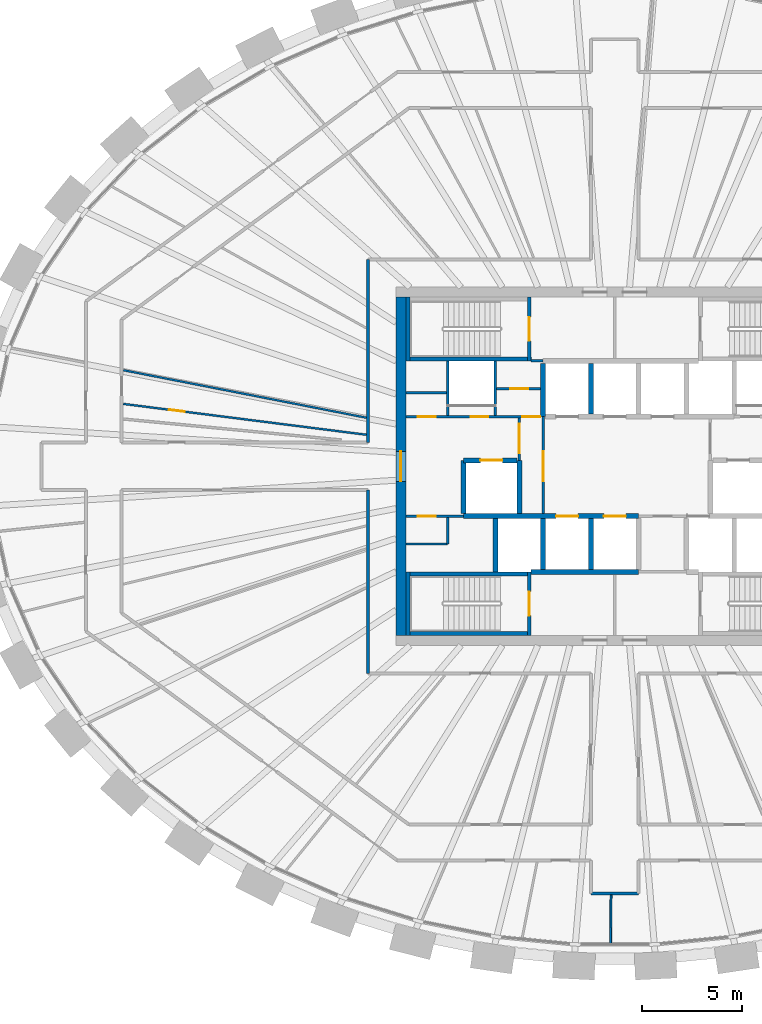
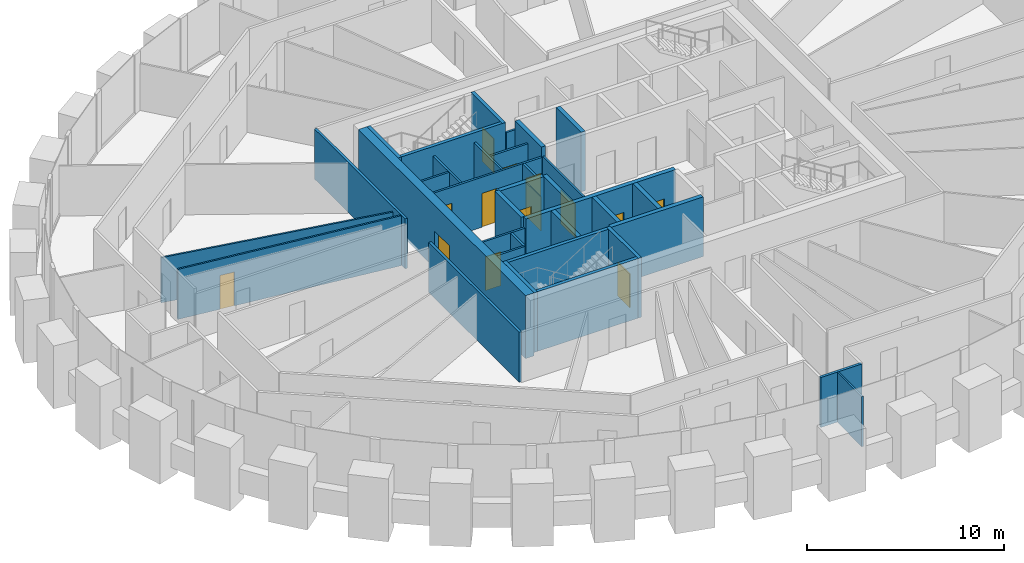
# One storey, part 7 of 12: 35 walls, 14 doors, 14 openings.
"""IFC4 building model written with IfcOpenShell, lengths in metres."""

from ifc_helpers import new_model, si_unit, direction, frame, frame_2d, origin, place, context, subcontext, project, spatial, rectangle, extrude, source, transform, mapped, material, layer, layer_set, type_object, element, fill, save


model = new_model("IFC4")

# Units and contexts
model_context = context("Model", 3, precision=1e-05, world=origin(), true_north=direction((0.0, 1.0)))
body_context = subcontext(model_context, "Body", "Model", "MODEL_VIEW")
ifc_project = project(units=[si_unit("LENGTHUNIT", "METRE"), si_unit("AREAUNIT", "SQUARE_METRE"), si_unit("VOLUMEUNIT", "CUBIC_METRE"), si_unit("PLANEANGLEUNIT", "RADIAN"), si_unit("MASSUNIT", "GRAM", prefix="KILO")], contexts=[model_context])

# Site, building, storey
site_placement = place(None, origin())
site = spatial("IfcSite", under=ifc_project, at=site_placement, CompositionType="ELEMENT")
building_placement = place(site_placement, origin())
building = spatial("IfcBuilding", under=site, at=building_placement, Name="Embergate Tower", CompositionType="ELEMENT")
storey_placement = place(building_placement, frame((0.0, 0.0, 269.5)))
storey = spatial("IfcBuildingStorey", under=building, at=storey_placement, Name="L62", CompositionType="ELEMENT", Elevation=269.5)

# Wall, opening, door
ifc_material_1 = material(Name="Concrete C50", Category="concrete")
ifc_layer_1 = layer(ifc_material_1, 0.5)
ifc_layer_set_1 = layer_set([ifc_layer_1], Name="Concrete C50")
wall_type_1 = type_object("IfcWallType", Name="Core outer wall C50 500", PredefinedType="SHEAR", material=ifc_layer_set_1)
shared_shape_1 = source(origin(), body_context, "Body", "SweptSolid", [
    extrude(rectangle(XDim=17.0, YDim=0.5, at=frame_2d((8.5, 0.0))), origin(), (0.0, 0.0, 1.0), 3.89990234375),
])
wall_1_placement = place(storey_placement, frame((-10.75, -8.5, -0.199951171875), z_axis=(0.0, 0.0, 1.0), x_axis=(0.0, 1.0, 0.0)))
wall_1 = element("IfcWall", 1, at=wall_1_placement, inside=storey, type_object=wall_type_1, Name="CW-L62-W", PredefinedType="SHEAR", context=body_context, shape_type="MappedRepresentation", body=[
    mapped(shared_shape_1, transform((0.0, 0.0, 0.0))),
])
shared_shape_2 = source(origin(), body_context, "Body", "SweptSolid", [
    extrude(rectangle(XDim=1.5, YDim=2.10009765625, at=frame_2d((0.75, 1.050048828125))), frame((0.0, 0.260009765625, 0.0), z_axis=(0.0, -1.0, 0.0), x_axis=(1.0, 0.0, 0.0)), (0.0, 0.0, 1.0), 0.52001953125),
])
opening_1_placement = place(wall_1_placement, frame((7.75, 0.0, 0.199951171875)))
opening_1 = element("IfcOpeningElement", 2, at=opening_1_placement, cuts=wall_1, Name="Opening IF-3", PredefinedType="OPENING", context=body_context, shape_type="MappedRepresentation", body=[
    mapped(shared_shape_2, transform((0.0, 0.0, 0.0))),
])
ifc_material_2 = material(Name="Lobby fire door pair 1500")
door_type_1 = type_object("IfcDoorType", Name="Lobby fire door pair 1500", OperationType="DOUBLE_DOOR_SINGLE_SWING", PredefinedType="DOOR", material=ifc_material_2)
shared_shape_3 = source(origin(), body_context, "Body", "SweptSolid", [
    extrude(rectangle(XDim=1.5, YDim=2.10009765625, at=frame_2d((0.75, 1.050048828125))), frame((0.0, 0.02490234375, 0.0), z_axis=(0.0, -1.0, 0.0), x_axis=(1.0, 0.0, 0.0)), (0.0, 0.0, 1.0), 0.050048828125),
])
door_1_placement = place(opening_1_placement, origin())
door_1 = element("IfcDoor", 3, at=door_1_placement, inside=storey, type_object=door_type_1, Name="IF-3 door", OperationType="DOUBLE_DOOR_SINGLE_SWING", OverallHeight=2.10009765625, OverallWidth=1.5, PredefinedType="DOOR", context=body_context, shape_type="MappedRepresentation", body=[
    mapped(shared_shape_3, transform((0.0, 0.0, 0.0))),
])
fill(opening_1, door_1)

# Walls
ifc_layer_2 = layer(ifc_material_1, 0.25)
ifc_layer_set_2 = layer_set([ifc_layer_2], Name="Concrete C50")
wall_type_2 = type_object("IfcWallType", Name="Hoistway wall reinforced concrete 250", PredefinedType="SHEAR", material=ifc_layer_set_2)
shared_shape_4 = source(origin(), body_context, "Body", "SweptSolid", [
    extrude(rectangle(XDim=2.675048828125, YDim=0.25, at=frame_2d((1.33740234375, 0.0))), origin(), (0.0, 0.0, 1.0), 3.699951171875),
])
for number, where, z_axis, x_axis, name in (
    (4, (-3.60009765625, 5.175048828125, 0.0), (0.0, 0.0, 1.0), (0.0, -1.0, 0.0), "HW-1 wall"),
    (5, (-4.800048828125, 0.300048828125, 0.0), (0.0, 0.0, 1.0), (0.0, -1.0, 0.0), "HW-1 wall"),
):
    element("IfcWall", number, at=place(storey_placement, frame(where, z_axis=z_axis, x_axis=x_axis)), inside=storey, type_object=wall_type_2, Name=name, PredefinedType="SHEAR", context=body_context, shape_type="MappedRepresentation", body=[
        mapped(shared_shape_4, transform((0.0, 0.0, 0.0))),
    ])

# Wall, opening, door
wall_2_placement = place(storey_placement, frame((-4.925048828125, 0.300048828125, 0.0), z_axis=(0.0, 0.0, 1.0), x_axis=(-1.0, 0.0, 0.0)))
wall_2 = element("IfcWall", 6, at=wall_2_placement, inside=storey, type_object=wall_type_2, Name="HW-1 wall", PredefinedType="SHEAR", context=body_context, shape_type="MappedRepresentation", body=[
    mapped(shared_shape_4, transform((0.0, 0.0, 0.0))),
])
shared_shape_5 = source(origin(), body_context, "Body", "SweptSolid", [
    extrude(rectangle(XDim=1.10009765625, YDim=2.10009765625, at=frame_2d((0.550048828125, 1.050048828125))), frame((0.0, 0.135009765625, 0.0), z_axis=(0.0, -1.0, 0.0), x_axis=(1.0, 0.0, 0.0)), (0.0, 0.0, 1.0), 0.27001953125),
])
opening_2_placement = place(wall_2_placement, frame((0.72509765625, 0.0, 0.0)))
opening_2 = element("IfcOpeningElement", 7, at=opening_2_placement, cuts=wall_2, Name="Opening LD", PredefinedType="OPENING", context=body_context, shape_type="MappedRepresentation", body=[
    mapped(shared_shape_5, transform((0.0, 0.0, 0.0))),
])
ifc_material_3 = material(Name="Landing door sliding 1100")
door_type_2 = type_object("IfcDoorType", Name="Landing door sliding 1100", OperationType="SLIDING_TO_LEFT", PredefinedType="DOOR", material=ifc_material_3)
shared_shape_6 = source(origin(), body_context, "Body", "SweptSolid", [
    extrude(rectangle(XDim=1.10009765625, YDim=2.10009765625, at=frame_2d((0.550048828125, 1.050048828125))), frame((0.0, 0.02490234375, 0.0), z_axis=(0.0, -1.0, 0.0), x_axis=(1.0, 0.0, 0.0)), (0.0, 0.0, 1.0), 0.050048828125),
])
door_2_placement = place(opening_2_placement, origin())
door_2 = element("IfcDoor", 8, at=door_2_placement, inside=storey, type_object=door_type_2, Name="LD door", OperationType="SLIDING_TO_LEFT", OverallHeight=2.10009765625, OverallWidth=1.10009765625, PredefinedType="DOOR", context=body_context, shape_type="MappedRepresentation", body=[
    mapped(shared_shape_6, transform((0.0, 0.0, 0.0))),
])
fill(opening_2, door_2)

# Walls
wall_3_placement = place(storey_placement, frame((-7.60009765625, 0.300048828125, 0.0), z_axis=(0.0, 0.0, 1.0), x_axis=(0.0, -1.0, 0.0)))
element("IfcWall", 9, at=wall_3_placement, inside=storey, type_object=wall_type_2, Name="HW-1 wall", PredefinedType="SHEAR", context=body_context, shape_type="MappedRepresentation", body=[
    mapped(shared_shape_4, transform((0.0, 0.0, 0.0))),
])
ifc_layer_3 = layer(ifc_material_1, 0.199951171875)
ifc_layer_set_3 = layer_set([ifc_layer_3], Name="Concrete C50")
wall_type_3 = type_object("IfcWallType", Name="Stair enclosure wall reinforced concrete 250", PredefinedType="SHEAR", material=ifc_layer_set_3)
shared_shape_7 = source(origin(), body_context, "Body", "SweptSolid", [
    extrude(rectangle(XDim=6.300048828125, YDim=0.199951171875, at=frame_2d((3.14990234375, 0.0))), origin(), (0.0, 0.0, 1.0), 3.699951171875),
])
for number, where, z_axis, x_axis, name in (
    (10, (-4.199951171875, 5.39990234375, 0.0), (0.0, 0.0, 1.0), (-1.0, 0.0, 0.0), "SE-1 wall"),
    (11, (-10.5, -5.39990234375, 0.0), (0.0, 0.0, 1.0), (1.0, 0.0, 0.0), "SE-1 wall"),
):
    element("IfcWall", number, at=place(storey_placement, frame(where, z_axis=z_axis, x_axis=x_axis)), inside=storey, type_object=wall_type_3, Name=name, PredefinedType="SHEAR", context=body_context, shape_type="MappedRepresentation", body=[
        mapped(shared_shape_7, transform((0.0, 0.0, 0.0))),
    ])
ifc_material_4 = material(Name="Core partition blockwork 120")
ifc_layer_4 = layer(ifc_material_4, 0.1201171875)
ifc_layer_set_4 = layer_set([ifc_layer_4], Name="Core partition blockwork 120")
wall_type_4 = type_object("IfcWallType", Name="Core partition blockwork 120", PredefinedType="PARTITIONING", material=ifc_layer_set_4)
shared_shape_8 = source(origin(), body_context, "Body", "SweptSolid", [
    extrude(rectangle(XDim=2.739990234375, YDim=0.1201171875, at=frame_2d((1.3701171875, 0.0))), origin(), (0.0, 0.0, 1.0), 3.10009765625),
])
wall_4_placement = place(storey_placement, frame((-6.0, 2.56005859375, 0.0), z_axis=(0.0, 0.0, 1.0), x_axis=(0.0, 1.0, 0.0)))
element("IfcWall", 12, at=wall_4_placement, inside=storey, type_object=wall_type_4, Name="IP-3 wall", PredefinedType="PARTITIONING", context=body_context, shape_type="MappedRepresentation", body=[
    mapped(shared_shape_8, transform((0.0, 0.0, 0.0))),
])
shared_shape_9 = source(origin(), body_context, "Body", "SweptSolid", [
    extrude(rectangle(XDim=2.550048828125, YDim=0.25, at=frame_2d((1.27490234375, 0.0))), origin(), (0.0, 0.0, 1.0), 3.699951171875),
])
for number, where, z_axis, x_axis, name in (
    (13, (-1.199951171875, 2.625, 0.0), (0.0, 0.0, 1.0), (0.0, 1.0, 0.0), "HW-1 wall"),
    (14, (-3.60009765625, -5.175048828125, 0.0), (0.0, 0.0, 1.0), (0.0, 1.0, 0.0), "HW-1 wall"),
    (15, (-1.199951171875, -5.175048828125, 0.0), (0.0, 0.0, 1.0), (0.0, 1.0, 0.0), "HW-1 wall"),
):
    element("IfcWall", number, at=place(storey_placement, frame(where, z_axis=z_axis, x_axis=x_axis)), inside=storey, type_object=wall_type_2, Name=name, PredefinedType="SHEAR", context=body_context, shape_type="MappedRepresentation", body=[
        mapped(shared_shape_9, transform((0.0, 0.0, 0.0))),
    ])

# Wall, opening, door
shared_shape_10 = source(origin(), body_context, "Body", "SweptSolid", [
    extrude(rectangle(XDim=3.199951171875, YDim=0.199951171875, at=frame_2d((1.60009765625, 0.0))), origin(), (0.0, 0.0, 1.0), 3.699951171875),
])
wall_5_placement = place(storey_placement, frame((-4.300048828125, 5.300048828125, 0.0), z_axis=(0.0, 0.0, 1.0), x_axis=(0.0, 1.0, 0.0)))
wall_5 = element("IfcWall", 16, at=wall_5_placement, inside=storey, type_object=wall_type_3, Name="SE-1 wall", PredefinedType="SHEAR", context=body_context, shape_type="MappedRepresentation", body=[
    mapped(shared_shape_10, transform((0.0, 0.0, 0.0))),
])
shared_shape_11 = source(origin(), body_context, "Body", "SweptSolid", [
    extrude(rectangle(XDim=1.199951171875, YDim=2.10009765625, at=frame_2d((0.60009765625, 1.050048828125))), frame((0.0, 0.10986328125, 0.0), z_axis=(0.0, -1.0, 0.0), x_axis=(1.0, 0.0, 0.0)), (0.0, 0.0, 1.0), 0.219970703125),
])
opening_3_placement = place(wall_5_placement, frame((1.0, 0.0, 0.0)))
opening_3 = element("IfcOpeningElement", 17, at=opening_3_placement, cuts=wall_5, Name="Opening IF-2", PredefinedType="OPENING", context=body_context, shape_type="MappedRepresentation", body=[
    mapped(shared_shape_11, transform((0.0, 0.0, 0.0))),
])
ifc_material_5 = material(Name="Stair enclosure door 1200")
door_type_3 = type_object("IfcDoorType", Name="Stair enclosure door 1200", OperationType="SINGLE_SWING_LEFT", PredefinedType="DOOR", material=ifc_material_5)
shared_shape_12 = source(origin(), body_context, "Body", "SweptSolid", [
    extrude(rectangle(XDim=1.199951171875, YDim=2.10009765625, at=frame_2d((0.60009765625, 1.050048828125))), frame((0.0, 0.02490234375, 0.0), z_axis=(0.0, -1.0, 0.0), x_axis=(1.0, 0.0, 0.0)), (0.0, 0.0, 1.0), 0.050048828125),
])
door_3_placement = place(opening_3_placement, origin())
door_3 = element("IfcDoor", 18, at=door_3_placement, inside=storey, type_object=door_type_3, Name="IF-2 door", OperationType="SINGLE_SWING_LEFT", OverallHeight=2.10009765625, OverallWidth=1.199951171875, PredefinedType="DOOR", context=body_context, shape_type="MappedRepresentation", body=[
    mapped(shared_shape_12, transform((0.0, 0.0, 0.0))),
])
fill(opening_3, door_3)

wall_6_placement = place(storey_placement, frame((-4.300048828125, -8.5, 0.0), z_axis=(0.0, 0.0, 1.0), x_axis=(0.0, 1.0, 0.0)))
wall_6 = element("IfcWall", 19, at=wall_6_placement, inside=storey, type_object=wall_type_3, Name="SE-1 wall", PredefinedType="SHEAR", context=body_context, shape_type="MappedRepresentation", body=[
    mapped(shared_shape_10, transform((0.0, 0.0, 0.0))),
])
opening_4_placement = place(wall_6_placement, frame((1.0, 0.0, 0.0)))
opening_4 = element("IfcOpeningElement", 20, at=opening_4_placement, cuts=wall_6, Name="Opening IF-2", PredefinedType="OPENING", context=body_context, shape_type="MappedRepresentation", body=[
    mapped(shared_shape_11, transform((0.0, 0.0, 0.0))),
])
door_4_placement = place(opening_4_placement, origin())
door_4 = element("IfcDoor", 21, at=door_4_placement, inside=storey, type_object=door_type_3, Name="IF-2 door", OperationType="SINGLE_SWING_RIGHT", OverallHeight=2.10009765625, OverallWidth=1.199951171875, PredefinedType="DOOR", context=body_context, shape_type="MappedRepresentation", body=[
    mapped(shared_shape_12, transform((0.0, 0.0, 0.0))),
])
fill(opening_4, door_4)

# Walls
for number, where, z_axis, x_axis, name in (
    (22, (-10.39990234375, 8.5, 0.0), (0.0, 0.0, 1.0), (0.0, -1.0, 0.0), "SE-1 wall"),
    (23, (-10.39990234375, -5.300048828125, 0.0), (0.0, 0.0, 1.0), (0.0, -1.0, 0.0), "SE-1 wall"),
):
    element("IfcWall", number, at=place(storey_placement, frame(where, z_axis=z_axis, x_axis=x_axis)), inside=storey, type_object=wall_type_3, Name=name, PredefinedType="SHEAR", context=body_context, shape_type="MappedRepresentation", body=[
        mapped(shared_shape_10, transform((0.0, 0.0, 0.0))),
    ])
shared_shape_13 = source(origin(), body_context, "Body", "SweptSolid", [
    extrude(rectangle(XDim=2.671142578125, YDim=0.25, at=frame_2d((1.33544921875, 0.0))), origin(), (0.0, 0.0, 1.0), 3.699951171875),
])
wall_7_placement = place(storey_placement, frame((-6.0, -2.626953125, 0.0), z_axis=(0.0, 0.0, 1.0), x_axis=(0.0, -1.0, 0.0)))
element("IfcWall", 24, at=wall_7_placement, inside=storey, type_object=wall_type_2, Name="HW-1 wall", PredefinedType="SHEAR", context=body_context, shape_type="MappedRepresentation", body=[
    mapped(shared_shape_13, transform((0.0, 0.0, 0.0))),
])
shared_shape_14 = source(origin(), body_context, "Body", "SweptSolid", [
    extrude(rectangle(XDim=5.39990234375, YDim=0.25, at=frame_2d((2.699951171875, 0.0))), origin(), (0.0, 0.0, 1.0), 3.699951171875),
])
wall_8_placement = place(storey_placement, frame((-4.199951171875, -5.300048828125, 0.0), z_axis=(0.0, 0.0, 1.0), x_axis=(1.0, 0.0, 0.0)))
element("IfcWall", 25, at=wall_8_placement, inside=storey, type_object=wall_type_2, Name="HW-1 wall", PredefinedType="SHEAR", context=body_context, shape_type="MappedRepresentation", body=[
    mapped(shared_shape_14, transform((0.0, 0.0, 0.0))),
])
shared_shape_15 = source(origin(), body_context, "Body", "SweptSolid", [
    extrude(rectangle(XDim=6.298095703125, YDim=0.199951171875, at=frame_2d((3.14892578125, 0.0))), origin(), (0.0, 0.0, 1.0), 3.699951171875),
])
wall_9_placement = place(storey_placement, frame((-10.5, -8.39990234375, 0.0), z_axis=(0.0, 0.0, 1.0), x_axis=(1.0, 0.0, 0.0)))
element("IfcWall", 26, at=wall_9_placement, inside=storey, type_object=wall_type_3, Name="SE-1 wall", PredefinedType="SHEAR", context=body_context, shape_type="MappedRepresentation", body=[
    mapped(shared_shape_15, transform((0.0, 0.0, 0.0))),
])
ifc_material_6 = material(Name="Corridor wall dry-lined 150")
ifc_layer_5 = layer(ifc_material_6, 0.14990234375)
ifc_layer_set_5 = layer_set([ifc_layer_5], Name="Corridor wall dry-lined 150")
wall_type_5 = type_object("IfcWallType", Name="Corridor wall dry-lined 150", PredefinedType="PARTITIONING", material=ifc_layer_set_5)
shared_shape_16 = source(origin(), body_context, "Body", "SweptSolid", [
    extrude(rectangle(XDim=9.199951171875, YDim=0.14990234375, at=frame_2d((4.60009765625, 0.0))), origin(), (0.0, 0.0, 1.0), 3.10009765625),
])
for number, where, z_axis, x_axis, name in (
    (27, (-12.39990234375, -1.199951171875, 0.0), (0.0, 0.0, 1.0), (0.0, -1.0, 0.0), "IP-2 wall"),
    (28, (-12.39990234375, 10.39990234375, 0.0), (0.0, 0.0, 1.0), (0.0, -1.0, 0.0), "IP-2 wall"),
):
    element("IfcWall", number, at=place(storey_placement, frame(where, z_axis=z_axis, x_axis=x_axis)), inside=storey, type_object=wall_type_5, Name=name, PredefinedType="PARTITIONING", context=body_context, shape_type="MappedRepresentation", body=[
        mapped(shared_shape_16, transform((0.0, 0.0, 0.0))),
    ])
shared_shape_17 = source(origin(), body_context, "Body", "SweptSolid", [
    extrude(rectangle(XDim=2.39990234375, YDim=0.14990234375, at=frame_2d((1.199951171875, 0.0))), origin(), (0.0, 0.0, 1.0), 3.10009765625),
])
wall_10_placement = place(storey_placement, frame((1.199951171875, -21.458984375, 0.0), z_axis=(0.0, 0.0, 1.0), x_axis=(-1.0, 0.0, 0.0)))
element("IfcWall", 29, at=wall_10_placement, inside=storey, type_object=wall_type_5, Name="IP-2 wall", PredefinedType="PARTITIONING", context=body_context, shape_type="MappedRepresentation", body=[
    mapped(shared_shape_17, transform((0.0, 0.0, 0.0))),
])

# Wall, openings, doors
shared_shape_18 = source(origin(), body_context, "Body", "SweptSolid", [
    extrude(rectangle(XDim=6.77490234375, YDim=0.1201171875, at=frame_2d((3.387451171875, 0.0))), origin(), (0.0, 0.0, 1.0), 3.10009765625),
])
wall_11_placement = place(storey_placement, frame((-10.5, 2.5, 0.0), z_axis=(0.0, 0.0, 1.0), x_axis=(1.0, 0.0, 0.0)))
wall_11 = element("IfcWall", 30, at=wall_11_placement, inside=storey, type_object=wall_type_4, Name="IP-3 wall", PredefinedType="PARTITIONING", context=body_context, shape_type="MappedRepresentation", body=[
    mapped(shared_shape_18, transform((0.0, 0.0, 0.0))),
])
shared_shape_19 = source(origin(), body_context, "Body", "SweptSolid", [
    extrude(rectangle(XDim=0.89990234375, YDim=2.10009765625, at=frame_2d((0.449951171875, 1.050048828125))), frame((0.0, 0.070068359375, 0.0), z_axis=(0.0, -1.0, 0.0), x_axis=(1.0, 0.0, 0.0)), (0.0, 0.0, 1.0), 0.14013671875),
])
opening_5_placement = place(wall_11_placement, frame((3.25, 0.0, 0.0)))
opening_5 = element("IfcOpeningElement", 31, at=opening_5_placement, cuts=wall_11, Name="Opening ID-1", PredefinedType="OPENING", context=body_context, shape_type="MappedRepresentation", body=[
    mapped(shared_shape_19, transform((0.0, 0.0, 0.0))),
])
opening_6_placement = place(wall_11_placement, frame((5.85009765625, 0.0, 0.0)))
opening_6 = element("IfcOpeningElement", 32, at=opening_6_placement, cuts=wall_11, Name="Opening ID-1", PredefinedType="OPENING", context=body_context, shape_type="MappedRepresentation", body=[
    mapped(shared_shape_19, transform((0.0, 0.0, 0.0))),
])
opening_7_placement = place(wall_11_placement, frame((0.60009765625, 0.0, 0.0)))
opening_7 = element("IfcOpeningElement", 33, at=opening_7_placement, cuts=wall_11, Name="Opening ID-1", PredefinedType="OPENING", context=body_context, shape_type="MappedRepresentation", body=[
    mapped(shared_shape_19, transform((0.0, 0.0, 0.0))),
])
ifc_material_7 = material(Name="Interior door 900")
door_type_4 = type_object("IfcDoorType", Name="Interior door 900", OperationType="SINGLE_SWING_LEFT", PredefinedType="DOOR", material=ifc_material_7)
shared_shape_20 = source(origin(), body_context, "Body", "SweptSolid", [
    extrude(rectangle(XDim=0.89990234375, YDim=2.10009765625, at=frame_2d((0.449951171875, 1.050048828125))), frame((0.0, 0.02490234375, 0.0), z_axis=(0.0, -1.0, 0.0), x_axis=(1.0, 0.0, 0.0)), (0.0, 0.0, 1.0), 0.050048828125),
])
door_5_placement = place(opening_5_placement, origin())
door_5 = element("IfcDoor", 34, at=door_5_placement, inside=storey, type_object=door_type_4, Name="ID-1 door", OperationType="SINGLE_SWING_LEFT", OverallHeight=2.10009765625, OverallWidth=0.89990234375, PredefinedType="DOOR", context=body_context, shape_type="MappedRepresentation", body=[
    mapped(shared_shape_20, transform((0.0, 0.0, 0.0))),
])
fill(opening_5, door_5)
door_6_placement = place(opening_6_placement, origin())
door_6 = element("IfcDoor", 35, at=door_6_placement, inside=storey, type_object=door_type_4, Name="ID-1 door", OperationType="SINGLE_SWING_LEFT", OverallHeight=2.10009765625, OverallWidth=0.89990234375, PredefinedType="DOOR", context=body_context, shape_type="MappedRepresentation", body=[
    mapped(shared_shape_20, transform((0.0, 0.0, 0.0))),
])
fill(opening_6, door_6)
door_7_placement = place(opening_7_placement, origin())
door_7 = element("IfcDoor", 36, at=door_7_placement, inside=storey, type_object=door_type_4, Name="ID-1 door", OperationType="SINGLE_SWING_RIGHT", OverallHeight=2.10009765625, OverallWidth=0.89990234375, PredefinedType="DOOR", context=body_context, shape_type="MappedRepresentation", body=[
    mapped(shared_shape_20, transform((0.0, 0.0, 0.0))),
])
fill(opening_7, door_7)

# Wall
shared_shape_21 = source(origin(), body_context, "Body", "SweptSolid", [
    extrude(rectangle(XDim=2.738037109375, YDim=0.1201171875, at=frame_2d((1.369140625, 0.0))), origin(), (0.0, 0.0, 1.0), 3.10009765625),
])
wall_12_placement = place(storey_placement, frame((-8.39990234375, 5.298095703125, 0.0), z_axis=(0.0, 0.0, 1.0), x_axis=(0.0, -1.0, 0.0)))
element("IfcWall", 37, at=wall_12_placement, inside=storey, type_object=wall_type_4, Name="IP-3 wall", PredefinedType="PARTITIONING", context=body_context, shape_type="MappedRepresentation", body=[
    mapped(shared_shape_21, transform((0.0, 0.0, 0.0))),
])

# Wall, opening, door
shared_shape_22 = source(origin(), body_context, "Body", "SweptSolid", [
    extrude(rectangle(XDim=4.875, YDim=0.1201171875, at=frame_2d((2.4375, 0.0))), origin(), (0.0, 0.0, 1.0), 3.10009765625),
])
wall_13_placement = place(storey_placement, frame((-3.60009765625, -2.375, 0.0), z_axis=(0.0, 0.0, 1.0), x_axis=(0.0, 1.0, 0.0)))
wall_13 = element("IfcWall", 38, at=wall_13_placement, inside=storey, type_object=wall_type_4, Name="IP-3 wall", PredefinedType="PARTITIONING", context=body_context, shape_type="MappedRepresentation", body=[
    mapped(shared_shape_22, transform((0.0, 0.0, 0.0))),
])
shared_shape_23 = source(origin(), body_context, "Body", "SweptSolid", [
    extrude(rectangle(XDim=1.5, YDim=2.10009765625, at=frame_2d((0.75, 1.050048828125))), frame((0.0, 0.070068359375, 0.0), z_axis=(0.0, -1.0, 0.0), x_axis=(1.0, 0.0, 0.0)), (0.0, 0.0, 1.0), 0.14013671875),
])
opening_8_placement = place(wall_13_placement, frame((1.625, 0.0, 0.0)))
opening_8 = element("IfcOpeningElement", 39, at=opening_8_placement, cuts=wall_13, Name="Opening IF-3", PredefinedType="OPENING", context=body_context, shape_type="MappedRepresentation", body=[
    mapped(shared_shape_23, transform((0.0, 0.0, 0.0))),
])
door_8_placement = place(opening_8_placement, origin())
door_8 = element("IfcDoor", 40, at=door_8_placement, inside=storey, type_object=door_type_1, Name="IF-3 door", OperationType="DOUBLE_DOOR_SINGLE_SWING", OverallHeight=2.10009765625, OverallWidth=1.5, PredefinedType="DOOR", context=body_context, shape_type="MappedRepresentation", body=[
    mapped(shared_shape_3, transform((0.0, 0.0, 0.0))),
])
fill(opening_8, door_8)

shared_shape_24 = source(origin(), body_context, "Body", "SweptSolid", [
    extrude(rectangle(XDim=2.139892578125, YDim=0.1201171875, at=frame_2d((1.06982421875, 0.0))), origin(), (0.0, 0.0, 1.0), 3.10009765625),
])
wall_14_placement = place(storey_placement, frame((-4.800048828125, 2.43994140625, 0.0), z_axis=(0.0, 0.0, 1.0), x_axis=(0.0, -1.0, 0.0)))
wall_14 = element("IfcWall", 41, at=wall_14_placement, inside=storey, type_object=wall_type_4, Name="IP-3 wall", PredefinedType="PARTITIONING", context=body_context, shape_type="MappedRepresentation", body=[
    mapped(shared_shape_24, transform((0.0, 0.0, 0.0))),
])
opening_9_placement = place(wall_14_placement, frame((0.2900390625, 0.0, 0.0)))
opening_9 = element("IfcOpeningElement", 42, at=opening_9_placement, cuts=wall_14, Name="Opening IF-3", PredefinedType="OPENING", context=body_context, shape_type="MappedRepresentation", body=[
    mapped(shared_shape_23, transform((0.0, 0.0, 0.0))),
])
door_9_placement = place(opening_9_placement, origin())
door_9 = element("IfcDoor", 43, at=door_9_placement, inside=storey, type_object=door_type_1, Name="IF-3 door", OperationType="DOUBLE_DOOR_SINGLE_SWING", OverallHeight=2.10009765625, OverallWidth=1.5, PredefinedType="DOOR", context=body_context, shape_type="MappedRepresentation", body=[
    mapped(shared_shape_3, transform((0.0, 0.0, 0.0))),
])
fill(opening_9, door_9)

# Walls
shared_shape_25 = source(origin(), body_context, "Body", "SweptSolid", [
    extrude(rectangle(XDim=0.599853515625, YDim=0.1201171875, at=frame_2d((0.2998046875, 0.0))), origin(), (0.0, 0.0, 1.0), 3.10009765625),
])
wall_15_placement = place(storey_placement, frame((-4.199951171875, 5.300048828125, 0.0), z_axis=(0.0, 0.0, 1.0), x_axis=(1.0, 0.0, 0.0)))
element("IfcWall", 44, at=wall_15_placement, inside=storey, type_object=wall_type_4, Name="IP-3 wall", PredefinedType="PARTITIONING", context=body_context, shape_type="MappedRepresentation", body=[
    mapped(shared_shape_25, transform((0.0, 0.0, 0.0))),
])
shared_shape_26 = source(origin(), body_context, "Body", "SweptSolid", [
    extrude(rectangle(XDim=2.0380859375, YDim=0.1201171875, at=frame_2d((1.01904296875, 0.0))), origin(), (0.0, 0.0, 1.0), 3.10009765625),
])
wall_16_placement = place(storey_placement, frame((-8.4619140625, 3.7041015625, 0.0), z_axis=(0.0, 0.0, 1.0), x_axis=(-1.0, 0.0, 0.0)))
element("IfcWall", 45, at=wall_16_placement, inside=storey, type_object=wall_type_4, Name="IP-3 wall", PredefinedType="PARTITIONING", context=body_context, shape_type="MappedRepresentation", body=[
    mapped(shared_shape_26, transform((0.0, 0.0, 0.0))),
])
ifc_material_8 = material(Name="Partition dry-lined 100")
ifc_layer_6 = layer(ifc_material_8, 0.10009765625)
ifc_layer_set_6 = layer_set([ifc_layer_6], Name="Partition dry-lined 100")
wall_type_6 = type_object("IfcWallType", Name="Partition dry-lined 100", PredefinedType="PARTITIONING", material=ifc_layer_set_6)
shared_shape_27 = source(origin(), body_context, "Body", "SweptSolid", [
    extrude(rectangle(XDim=2.52001953125, YDim=0.10009765625, at=frame_2d((1.260009765625, 0.0))), origin(), (0.0, 0.0, 1.0), 3.10009765625),
])
wall_17_placement = place(storey_placement, frame((-0.19091796875, -21.533935546875, 0.0), z_axis=(0.0, 0.0, 1.0), x_axis=(-0.008718909035, -0.99996198959, 0.0)))
element("IfcWall", 46, at=wall_17_placement, inside=storey, type_object=wall_type_6, Name="IP-1 wall", PredefinedType="PARTITIONING", context=body_context, shape_type="MappedRepresentation", body=[
    mapped(shared_shape_27, transform((0.0, 0.0, 0.0))),
])
shared_shape_28 = source(origin(), body_context, "Body", "SweptSolid", [
    extrude(rectangle(XDim=12.443359375, YDim=0.10009765625, at=frame_2d((6.2216796875, 0.0))), origin(), (0.0, 0.0, 1.0), 2.800048828125),
])
wall_18_placement = place(storey_placement, frame((-12.485107421875, 2.44189453125, 0.0), z_axis=(0.0, 0.0, 1.0), x_axis=(-0.981394583772, 0.192001747237, 0.0)))
element("IfcWall", 47, at=wall_18_placement, inside=storey, type_object=wall_type_6, Name="IP-1 wall", PredefinedType="PARTITIONING", context=body_context, shape_type="MappedRepresentation", body=[
    mapped(shared_shape_28, transform((0.0, 0.0, 0.0))),
])

# Wall, opening, door
shared_shape_29 = source(origin(), body_context, "Body", "SweptSolid", [
    extrude(rectangle(XDim=12.317138671875, YDim=0.10009765625, at=frame_2d((6.15869140625, 0.0))), origin(), (0.0, 0.0, 1.0), 3.10009765625),
])
wall_19_placement = place(storey_placement, frame((-12.48095703125, 1.5859375, 0.0), z_axis=(0.0, 0.0, 1.0), x_axis=(-0.992029836268, 0.126003190257, 0.0)))
wall_19 = element("IfcWall", 48, at=wall_19_placement, inside=storey, type_object=wall_type_6, Name="IP-1 wall", PredefinedType="PARTITIONING", context=body_context, shape_type="MappedRepresentation", body=[
    mapped(shared_shape_29, transform((0.0, 0.0, 0.0))),
])
shared_shape_30 = source(origin(), body_context, "Body", "SweptSolid", [
    extrude(rectangle(XDim=0.800048828125, YDim=2.10009765625, at=frame_2d((0.39990234375, 1.050048828125))), frame((0.0, 0.06005859375, 0.0), z_axis=(0.0, -1.0, 0.0), x_axis=(1.0, 0.0, 0.0)), (0.0, 0.0, 1.0), 0.1201171875),
])
opening_10_placement = place(wall_19_placement, frame((9.202392578125, 0.0, 0.0)))
opening_10 = element("IfcOpeningElement", 49, at=opening_10_placement, cuts=wall_19, Name="Opening ID-1a", PredefinedType="OPENING", context=body_context, shape_type="MappedRepresentation", body=[
    mapped(shared_shape_30, transform((0.0, 0.0, 0.0))),
])
ifc_material_9 = material(Name="Interior door 800")
door_type_5 = type_object("IfcDoorType", Name="Interior door 800", OperationType="SINGLE_SWING_LEFT", PredefinedType="DOOR", material=ifc_material_9)
shared_shape_31 = source(origin(), body_context, "Body", "SweptSolid", [
    extrude(rectangle(XDim=0.800048828125, YDim=2.10009765625, at=frame_2d((0.39990234375, 1.050048828125))), frame((0.0, 0.02490234375, 0.0), z_axis=(0.0, -1.0, 0.0), x_axis=(1.0, 0.0, 0.0)), (0.0, 0.0, 1.0), 0.050048828125),
])
door_10_placement = place(opening_10_placement, origin())
door_10 = element("IfcDoor", 50, at=door_10_placement, inside=storey, type_object=door_type_5, Name="ID-1 door", OperationType="SINGLE_SWING_RIGHT", OverallHeight=2.10009765625, OverallWidth=0.800048828125, PredefinedType="DOOR", context=body_context, shape_type="MappedRepresentation", body=[
    mapped(shared_shape_31, transform((0.0, 0.0, 0.0))),
])
fill(opening_10, door_10)

# Wall, openings, doors
shared_shape_32 = source(origin(), body_context, "Body", "SweptSolid", [
    extrude(rectangle(XDim=8.7978515625, YDim=0.25, at=frame_2d((4.39892578125, 0.0))), origin(), (0.0, 0.0, 1.0), 3.699951171875),
])
wall_20_placement = place(storey_placement, frame((1.199951171875, -2.5, 0.0), z_axis=(0.0, 0.0, 1.0), x_axis=(-1.0, 0.0, 0.0)))
wall_20 = element("IfcWall", 51, at=wall_20_placement, inside=storey, type_object=wall_type_2, Name="HW-1 wall", PredefinedType="SHEAR", context=body_context, shape_type="MappedRepresentation", body=[
    mapped(shared_shape_32, transform((0.0, 0.0, 0.0))),
])
opening_11_placement = place(wall_20_placement, frame((3.050048828125, 0.0, 0.0)))
opening_11 = element("IfcOpeningElement", 52, at=opening_11_placement, cuts=wall_20, Name="Opening LD", PredefinedType="OPENING", context=body_context, shape_type="MappedRepresentation", body=[
    mapped(shared_shape_5, transform((0.0, 0.0, 0.0))),
])
opening_12_placement = place(wall_20_placement, frame((0.64990234375, 0.0, 0.0)))
opening_12 = element("IfcOpeningElement", 53, at=opening_12_placement, cuts=wall_20, Name="Opening LD", PredefinedType="OPENING", context=body_context, shape_type="MappedRepresentation", body=[
    mapped(shared_shape_5, transform((0.0, 0.0, 0.0))),
])
door_11_placement = place(opening_11_placement, origin())
door_11 = element("IfcDoor", 54, at=door_11_placement, inside=storey, type_object=door_type_2, Name="LD door", OperationType="SLIDING_TO_LEFT", OverallHeight=2.10009765625, OverallWidth=1.10009765625, PredefinedType="DOOR", context=body_context, shape_type="MappedRepresentation", body=[
    mapped(shared_shape_6, transform((0.0, 0.0, 0.0))),
])
fill(opening_11, door_11)
door_12_placement = place(opening_12_placement, origin())
door_12 = element("IfcDoor", 55, at=door_12_placement, inside=storey, type_object=door_type_2, Name="LD door", OperationType="SLIDING_TO_RIGHT", OverallHeight=2.10009765625, OverallWidth=1.10009765625, PredefinedType="DOOR", context=body_context, shape_type="MappedRepresentation", body=[
    mapped(shared_shape_6, transform((0.0, 0.0, 0.0))),
])
fill(opening_12, door_12)

# Wall, opening, door
shared_shape_33 = source(origin(), body_context, "Body", "SweptSolid", [
    extrude(rectangle(XDim=2.89794921875, YDim=0.1201171875, at=frame_2d((1.448974609375, 0.0))), origin(), (0.0, 0.0, 1.0), 3.10009765625),
])
wall_21_placement = place(storey_placement, frame((-10.5, -2.5, 0.0), z_axis=(0.0, 0.0, 1.0), x_axis=(1.0, 0.0, 0.0)))
wall_21 = element("IfcWall", 56, at=wall_21_placement, inside=storey, type_object=wall_type_4, Name="IP-3 wall", PredefinedType="PARTITIONING", context=body_context, shape_type="MappedRepresentation", body=[
    mapped(shared_shape_33, transform((0.0, 0.0, 0.0))),
])
opening_13_placement = place(wall_21_placement, frame((0.60009765625, 0.0, 0.0)))
opening_13 = element("IfcOpeningElement", 57, at=opening_13_placement, cuts=wall_21, Name="Opening ID-1", PredefinedType="OPENING", context=body_context, shape_type="MappedRepresentation", body=[
    mapped(shared_shape_19, transform((0.0, 0.0, 0.0))),
])
door_13_placement = place(opening_13_placement, origin())
door_13 = element("IfcDoor", 58, at=door_13_placement, inside=storey, type_object=door_type_4, Name="ID-1 door", OperationType="SINGLE_SWING_LEFT", OverallHeight=2.10009765625, OverallWidth=0.89990234375, PredefinedType="DOOR", context=body_context, shape_type="MappedRepresentation", body=[
    mapped(shared_shape_20, transform((0.0, 0.0, 0.0))),
])
fill(opening_13, door_13)

shared_shape_34 = source(origin(), body_context, "Body", "SweptSolid", [
    extrude(rectangle(XDim=2.21484375, YDim=0.1201171875, at=frame_2d((1.107421875, 0.0))), origin(), (0.0, 0.0, 1.0), 3.10009765625),
])
wall_22_placement = place(storey_placement, frame((-3.72509765625, 3.89990234375, 0.0), z_axis=(0.0, 0.0, 1.0), x_axis=(-1.0, 0.0, 0.0)))
wall_22 = element("IfcWall", 59, at=wall_22_placement, inside=storey, type_object=wall_type_4, Name="IP-3 wall", PredefinedType="PARTITIONING", context=body_context, shape_type="MappedRepresentation", body=[
    mapped(shared_shape_34, transform((0.0, 0.0, 0.0))),
])
opening_14_placement = place(wall_22_placement, frame((0.625, 0.0, 0.0)))
opening_14 = element("IfcOpeningElement", 60, at=opening_14_placement, cuts=wall_22, Name="Opening ID-1", PredefinedType="OPENING", context=body_context, shape_type="MappedRepresentation", body=[
    mapped(shared_shape_19, transform((0.0, 0.0, 0.0))),
])
door_14_placement = place(opening_14_placement, origin())
door_14 = element("IfcDoor", 61, at=door_14_placement, inside=storey, type_object=door_type_4, Name="ID-1 door", OperationType="SINGLE_SWING_RIGHT", OverallHeight=2.10009765625, OverallWidth=0.89990234375, PredefinedType="DOOR", context=body_context, shape_type="MappedRepresentation", body=[
    mapped(shared_shape_20, transform((0.0, 0.0, 0.0))),
])
fill(opening_14, door_14)

# Walls
shared_shape_35 = source(origin(), body_context, "Body", "SweptSolid", [
    extrude(rectangle(XDim=2.10009765625, YDim=0.1201171875, at=frame_2d((1.050048828125, 0.0))), origin(), (0.0, 0.0, 1.0), 3.10009765625),
])
wall_23_placement = place(storey_placement, frame((-10.5, -3.89990234375, 0.0), z_axis=(0.0, 0.0, 1.0), x_axis=(1.0, 0.0, 0.0)))
element("IfcWall", 62, at=wall_23_placement, inside=storey, type_object=wall_type_4, Name="IP-3 wall", PredefinedType="PARTITIONING", context=body_context, shape_type="MappedRepresentation", body=[
    mapped(shared_shape_35, transform((0.0, 0.0, 0.0))),
])
shared_shape_36 = source(origin(), body_context, "Body", "SweptSolid", [
    extrude(rectangle(XDim=1.337890625, YDim=0.1201171875, at=frame_2d((0.6689453125, 0.0))), origin(), (0.0, 0.0, 1.0), 3.10009765625),
])
wall_24_placement = place(storey_placement, frame((-8.39990234375, -3.89990234375, 0.0), z_axis=(0.0, 0.0, 1.0), x_axis=(0.0, 1.0, 0.0)))
element("IfcWall", 63, at=wall_24_placement, inside=storey, type_object=wall_type_4, Name="IP-3 wall", PredefinedType="PARTITIONING", context=body_context, shape_type="MappedRepresentation", body=[
    mapped(shared_shape_36, transform((0.0, 0.0, 0.0))),
])

save(model, "model.ifc")
